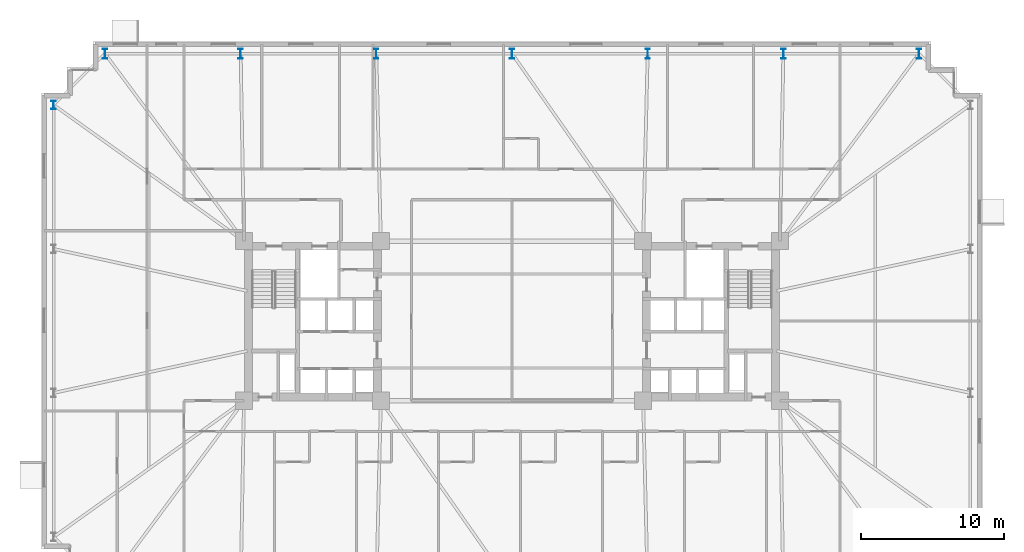
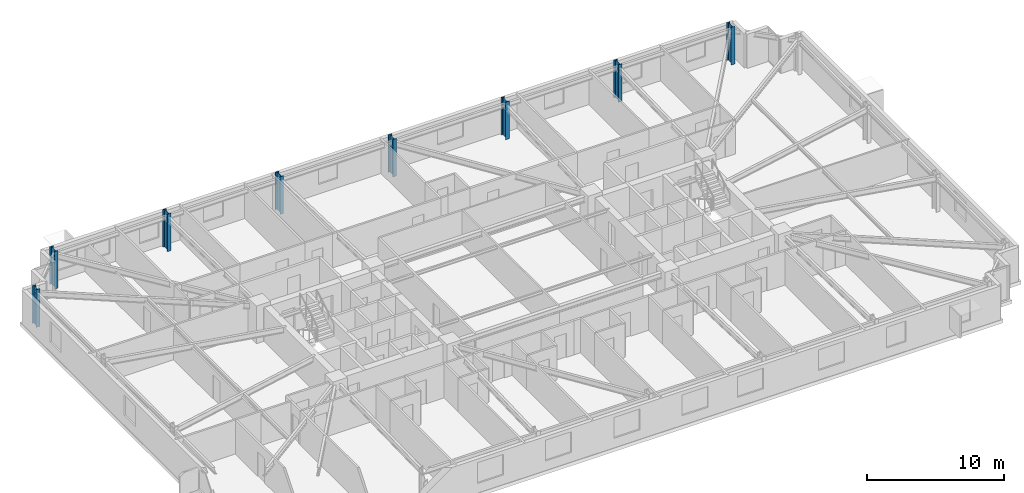
# One storey, part 2 of 20: 8 columns.
"""IFC4 building model written with IfcOpenShell, lengths in metres."""

from ifc_helpers import new_model, si_unit, direction, frame, origin, origin_2d, place, context, subcontext, project, spatial, i_section, extrude, material, material_profile, profile_set, type_object, element, save


model = new_model("IFC4")

# Units and contexts
model_context = context("Model", 3, precision=1e-05, world=origin(), true_north=direction((0.0, 1.0)))
body_context = subcontext(model_context, "Body", "Model", "MODEL_VIEW")
ifc_project = project(units=[si_unit("LENGTHUNIT", "METRE"), si_unit("AREAUNIT", "SQUARE_METRE"), si_unit("VOLUMEUNIT", "CUBIC_METRE"), si_unit("PLANEANGLEUNIT", "RADIAN"), si_unit("MASSUNIT", "GRAM", prefix="KILO")], contexts=[model_context])

# Site, building, storey
site_placement = place(None, origin())
site = spatial("IfcSite", under=ifc_project, at=site_placement, CompositionType="ELEMENT")
building_placement = place(site_placement, origin())
building = spatial("IfcBuilding", under=site, at=building_placement, Name="Qobustan Lattice House", CompositionType="ELEMENT")
storey_placement = place(building_placement, frame((0.0, 0.0, 63.85009765625)))
storey = spatial("IfcBuildingStorey", under=building, at=storey_placement, Name="L17", CompositionType="ELEMENT", Elevation=63.85009765625)

# Columns
ifc_material_1 = material(Name="Steel S460", Category="steel")
ifc_material_profile_1 = material_profile(ifc_material_1, i_section(OverallWidth=0.304931640625, OverallDepth=0.6201171875, WebThickness=0.02099609375, FlangeThickness=0.0400390625, FilletRadius=0.027099609375, at=origin_2d()), Name="HEM600")
ifc_profile_set_1 = profile_set([ifc_material_profile_1], Name="Steel S460")
column_type_1 = type_object("IfcColumnType", Name="COL-ST-HEM600", PredefinedType="COLUMN", material=ifc_profile_set_1)
column_placement = place(storey_placement, frame((-32.14990234375, 15.14990234375, 0.0), z_axis=(0.0, 0.0, 1.0), x_axis=(1.0, 0.0, 0.0)))
element("IfcColumn", 1, at=column_placement, inside=storey, type_object=column_type_1, Name="L17 B1 perimeter column W1", PredefinedType="COLUMN", context=body_context, shape_type="SweptSolid", body=[
    extrude(i_section(OverallWidth=0.304931640625, OverallDepth=0.6201171875, WebThickness=0.02099609375, FlangeThickness=0.0400390625, FilletRadius=0.027099609375, at=origin_2d()), origin(), (0.0, 0.0, 1.0), 3.349853515625),
])
ifc_material_2 = material(Name="Steel S460", Category="steel")
ifc_material_profile_2 = material_profile(ifc_material_2, i_section(OverallWidth=0.303955078125, OverallDepth=0.716064453125, WebThickness=0.02099609375, FlangeThickness=0.0400390625, FilletRadius=0.027099609375, at=origin_2d()), Name="HEM700")
ifc_profile_set_2 = profile_set([ifc_material_profile_2], Name="Steel S460")
column_type_2 = type_object("IfcColumnType", Name="COL-ST-HEM700", PredefinedType="COLUMN", material=ifc_profile_set_2)
for number, where, z_axis, x_axis, name in (
    (2, (28.550048828125, 18.75, 0.0), (0.0, 0.0, 1.0), (1.0, 0.0, 0.0), "L17 B1 perimeter column N1"),
    (3, (19.033203125, 18.75, 0.0), (0.0, 0.0, 1.0), (1.0, 0.0, 0.0), "L17 B1 perimeter column N2"),
    (4, (9.5166015625, 18.75, 0.0), (0.0, 0.0, 1.0), (1.0, 0.0, 0.0), "L17 B1 perimeter column N3"),
    (5, (0.0, 18.75, 0.0), (0.0, 0.0, 1.0), (1.0, 0.0, 0.0), "L17 B1 perimeter column N4"),
    (6, (-9.5166015625, 18.75, 0.0), (0.0, 0.0, 1.0), (1.0, 0.0, 0.0), "L17 B1 perimeter column N5"),
    (7, (-19.033203125, 18.75, 0.0), (0.0, 0.0, 1.0), (1.0, 0.0, 0.0), "L17 B1 perimeter column N6"),
    (8, (-28.550048828125, 18.75, 0.0), (0.0, 0.0, 1.0), (1.0, 0.0, 0.0), "L17 B1 perimeter column N7"),
):
    element("IfcColumn", number, at=place(storey_placement, frame(where, z_axis=z_axis, x_axis=x_axis)), inside=storey, type_object=column_type_2, Name=name, PredefinedType="COLUMN", context=body_context, shape_type="SweptSolid", body=[
        extrude(i_section(OverallWidth=0.303955078125, OverallDepth=0.716064453125, WebThickness=0.02099609375, FlangeThickness=0.0400390625, FilletRadius=0.027099609375, at=origin_2d()), origin(), (0.0, 0.0, 1.0), 3.349853515625),
    ])

save(model, "model.ifc")
